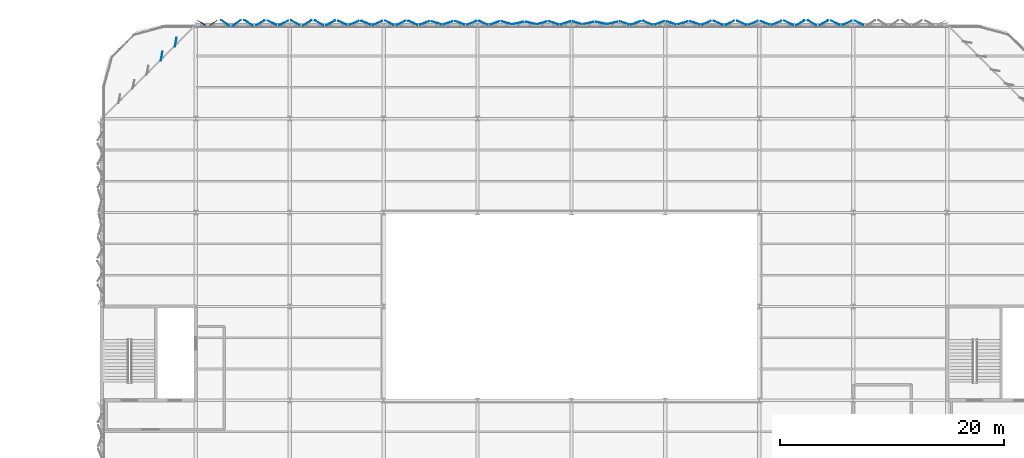
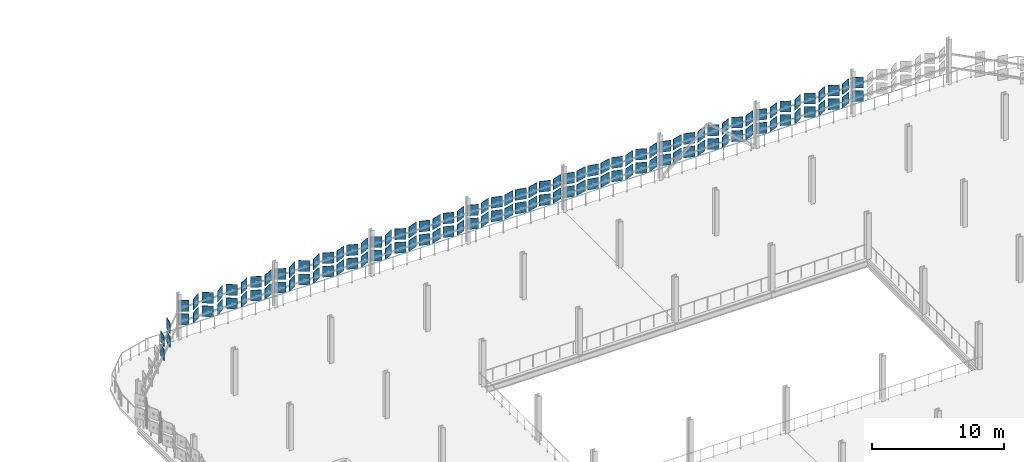
# One storey, part 146 of 184: 118 plates.
"""IFC4 building model written with IfcOpenShell, lengths in metres."""

from ifc_helpers import new_model, si_unit, direction, frame, origin, origin_2d, place, context, subcontext, project, spatial, rectangle, extrude, material, layer, layer_set, type_object, element, save


model = new_model("IFC4")

# Units and contexts
model_context = context("Model", 3, precision=1e-05, world=origin(), true_north=direction((0.0, 1.0)))
body_context = subcontext(model_context, "Body", "Model", "MODEL_VIEW")
ifc_project = project(units=[si_unit("LENGTHUNIT", "METRE"), si_unit("AREAUNIT", "SQUARE_METRE"), si_unit("VOLUMEUNIT", "CUBIC_METRE"), si_unit("PLANEANGLEUNIT", "RADIAN"), si_unit("MASSUNIT", "GRAM", prefix="KILO")], contexts=[model_context])

# Site, building, storey
site_placement = place(None, origin())
site = spatial("IfcSite", under=ifc_project, at=site_placement, CompositionType="ELEMENT")
building_placement = place(site_placement, origin())
building = spatial("IfcBuilding", under=site, at=building_placement, Name="Qalvenar Corner Mobility Hub", CompositionType="ELEMENT")
storey_placement = place(building_placement, frame((0.0, 0.0, 9.0)))
storey = spatial("IfcBuildingStorey", under=building, at=storey_placement, Name="L02", CompositionType="ELEMENT", Elevation=9.0)

# Plates
ifc_material = material(Name="Amber-Bronze Anodised Aluminium", Category="aluminium")
ifc_layer_1 = layer(ifc_material, 0.0400390625)
ifc_layer_set_1 = layer_set([ifc_layer_1], Name="Amber-Bronze Anodised Aluminium")
plate_type_1 = type_object("IfcPlateType", Name="PLT-XC-L2-CRN", PredefinedType="SHEET", material=ifc_layer_set_1)
for number, where, z_axis, x_axis, name in (
    (1, (68.77490234375, 117.760009765625, 1.0), (0.0, 0.0, 1.0), (-0.835423867485, -0.549606187772, 0.0), "Hinged Facade Panel FP-L02-0613"),
    (2, (68.77490234375, 117.760009765625, 2.25), (0.0, 0.0, 1.0), (-0.835423867485, -0.549606187772, 0.0), "Hinged Facade Panel FP-L02-0614"),
    (3, (67.72509765625, 117.760009765625, 1.0), (0.0, 0.0, 1.0), (-0.85860221428, 0.512642407174, 0.0), "Hinged Facade Panel FP-L02-0615"),
    (4, (67.72509765625, 117.760009765625, 2.25), (0.0, 0.0, 1.0), (-0.85860221428, 0.512642407174, 0.0), "Hinged Facade Panel FP-L02-0616"),
    (5, (65.406982421875, 116.033203125, 1.0), (0.0, 0.0, 1.0), (-0.190808995377, -0.981627183448, 0.0), "Corner Hinged Panel FPC-L02-0711"),
    (6, (64.14697265625, 114.773193359375, 1.0), (0.0, 0.0, 1.0), (-0.190808995377, -0.981627183448, 0.0), "Corner Hinged Panel FPC-L02-0712"),
    (7, (65.406982421875, 116.033203125, 2.25), (0.0, 0.0, 1.0), (-0.190808995377, -0.981627183448, 0.0), "Corner Hinged Panel FPC-L02-0716"),
    (8, (64.14697265625, 114.773193359375, 2.25), (0.0, 0.0, 1.0), (-0.190808995377, -0.981627183448, 0.0), "Corner Hinged Panel FPC-L02-0717"),
):
    element("IfcPlate", number, at=place(storey_placement, frame(where, z_axis=z_axis, x_axis=x_axis)), inside=storey, type_object=plate_type_1, Name=name, PredefinedType="SHEET", context=body_context, shape_type="SweptSolid", body=[
        extrude(rectangle(XDim=0.800048828125, YDim=0.0400390625, at=origin_2d()), origin(), (0.0, 0.0, 1.0), 1.0),
    ])
ifc_layer_2 = layer(ifc_material, 0.0380859375)
ifc_layer_set_2 = layer_set([ifc_layer_2], Name="Amber-Bronze Anodised Aluminium")
plate_type_2 = type_object("IfcPlateType", Name="PLT-XC-L2-STD", PredefinedType="SHEET", material=ifc_layer_set_2)
for number, where, z_axis, x_axis, name in (
    (9, (126.52490234375, 117.760009765625, 1.0), (0.0, 0.0, 1.0), (-0.892349617181, 0.451344835704, 0.0), "Hinged Facade Panel FP-L02-0503"),
    (10, (126.52490234375, 117.760009765625, 2.25), (0.0, 0.0, 1.0), (-0.892349617181, 0.451344835704, 0.0), "Hinged Facade Panel FP-L02-0504"),
    (11, (125.47509765625, 117.760009765625, 1.0), (0.0, 0.0, 1.0), (-0.906160210221, -0.422934597085, 0.0), "Hinged Facade Panel FP-L02-0505"),
    (12, (125.47509765625, 117.760009765625, 2.25), (0.0, 0.0, 1.0), (-0.906160210221, -0.422934597085, 0.0), "Hinged Facade Panel FP-L02-0506"),
    (13, (124.425048828125, 117.760009765625, 1.0), (0.0, 0.0, 1.0), (-0.897027074767, 0.441975595633, 0.0), "Hinged Facade Panel FP-L02-0507"),
    (14, (124.425048828125, 117.760009765625, 2.25), (0.0, 0.0, 1.0), (-0.897027074767, 0.441975595633, 0.0), "Hinged Facade Panel FP-L02-0508"),
    (15, (123.375, 117.760009765625, 1.0), (0.0, 0.0, 1.0), (-0.874111536221, -0.485725253868, 0.0), "Hinged Facade Panel FP-L02-0509"),
    (16, (123.375, 117.760009765625, 2.25), (0.0, 0.0, 1.0), (-0.874111536221, -0.485725253868, 0.0), "Hinged Facade Panel FP-L02-0510"),
    (17, (122.324951171875, 117.760009765625, 1.0), (0.0, 0.0, 1.0), (-0.858064905724, 0.513541252058, 0.0), "Hinged Facade Panel FP-L02-0511"),
    (18, (122.324951171875, 117.760009765625, 2.25), (0.0, 0.0, 1.0), (-0.858064905724, 0.513541252058, 0.0), "Hinged Facade Panel FP-L02-0512"),
    (19, (121.27490234375, 117.760009765625, 1.0), (0.0, 0.0, 1.0), (-0.867070701164, -0.498185105339, 0.0), "Hinged Facade Panel FP-L02-0513"),
    (20, (121.27490234375, 117.760009765625, 2.25), (0.0, 0.0, 1.0), (-0.867070701164, -0.498185105339, 0.0), "Hinged Facade Panel FP-L02-0514"),
    (21, (120.22509765625, 117.760009765625, 1.0), (0.0, 0.0, 1.0), (-0.896409086219, 0.443227650474, 0.0), "Hinged Facade Panel FP-L02-0515"),
    (22, (120.22509765625, 117.760009765625, 2.25), (0.0, 0.0, 1.0), (-0.896409086219, 0.443227650474, 0.0), "Hinged Facade Panel FP-L02-0516"),
    (23, (119.175048828125, 117.760009765625, 1.0), (0.0, 0.0, 1.0), (-0.924546033612, -0.38107037635, 0.0), "Hinged Facade Panel FP-L02-0517"),
    (24, (119.175048828125, 117.760009765625, 2.25), (0.0, 0.0, 1.0), (-0.924546033612, -0.38107037635, 0.0), "Hinged Facade Panel FP-L02-0518"),
    (25, (118.125, 117.760009765625, 1.0), (0.0, 0.0, 1.0), (-0.935752139592, 0.352658380374, 0.0), "Hinged Facade Panel FP-L02-0519"),
    (26, (118.125, 117.760009765625, 2.25), (0.0, 0.0, 1.0), (-0.935752139592, 0.352658380374, 0.0), "Hinged Facade Panel FP-L02-0520"),
    (27, (117.074951171875, 117.760009765625, 1.0), (0.0, 0.0, 1.0), (-0.927771141119, -0.37314971487, 0.0), "Hinged Facade Panel FP-L02-0521"),
    (28, (117.074951171875, 117.760009765625, 2.25), (0.0, 0.0, 1.0), (-0.927771141119, -0.37314971487, 0.0), "Hinged Facade Panel FP-L02-0522"),
    (29, (116.02490234375, 117.760009765625, 1.0), (0.0, 0.0, 1.0), (-0.908143173825, 0.418659737537, 0.0), "Hinged Facade Panel FP-L02-0523"),
    (30, (116.02490234375, 117.760009765625, 2.25), (0.0, 0.0, 1.0), (-0.908143173825, 0.418659737537, 0.0), "Hinged Facade Panel FP-L02-0524"),
    (31, (114.97509765625, 117.760009765625, 1.0), (0.0, 0.0, 1.0), (-0.894544639838, -0.446978620671, 0.0), "Hinged Facade Panel FP-L02-0525"),
    (32, (114.97509765625, 117.760009765625, 2.25), (0.0, 0.0, 1.0), (-0.894544639838, -0.446978620671, 0.0), "Hinged Facade Panel FP-L02-0526"),
    (33, (113.925048828125, 117.760009765625, 1.0), (0.0, 0.0, 1.0), (-0.902810575698, 0.430038445267, 0.0), "Hinged Facade Panel FP-L02-0527"),
    (34, (113.925048828125, 117.760009765625, 2.25), (0.0, 0.0, 1.0), (-0.902810575698, 0.430038445267, 0.0), "Hinged Facade Panel FP-L02-0528"),
    (35, (112.875, 117.760009765625, 1.0), (0.0, 0.0, 1.0), (-0.928096422365, -0.372339939832, 0.0), "Hinged Facade Panel FP-L02-0529"),
    (36, (112.875, 117.760009765625, 2.25), (0.0, 0.0, 1.0), (-0.928096422365, -0.372339939832, 0.0), "Hinged Facade Panel FP-L02-0530"),
    (37, (111.824951171875, 117.760009765625, 1.0), (0.0, 0.0, 1.0), (-0.951164325631, 0.308684994204, 0.0), "Hinged Facade Panel FP-L02-0531"),
    (38, (111.824951171875, 117.760009765625, 2.25), (0.0, 0.0, 1.0), (-0.951164325631, 0.308684994204, 0.0), "Hinged Facade Panel FP-L02-0532"),
    (39, (110.77490234375, 117.760009765625, 1.0), (0.0, 0.0, 1.0), (-0.959854262938, -0.280499187022, 0.0), "Hinged Facade Panel FP-L02-0533"),
    (40, (110.77490234375, 117.760009765625, 2.25), (0.0, 0.0, 1.0), (-0.959854262938, -0.280499187022, 0.0), "Hinged Facade Panel FP-L02-0534"),
    (41, (109.72509765625, 117.760009765625, 1.0), (0.0, 0.0, 1.0), (-0.953243426776, 0.30220352299, 0.0), "Hinged Facade Panel FP-L02-0535"),
    (42, (109.72509765625, 117.760009765625, 2.25), (0.0, 0.0, 1.0), (-0.953243426776, 0.30220352299, 0.0), "Hinged Facade Panel FP-L02-0536"),
    (43, (108.675048828125, 117.760009765625, 1.0), (0.0, 0.0, 1.0), (-0.937038411905, -0.349226308593, 0.0), "Hinged Facade Panel FP-L02-0537"),
    (44, (108.675048828125, 117.760009765625, 2.25), (0.0, 0.0, 1.0), (-0.937038411905, -0.349226308593, 0.0), "Hinged Facade Panel FP-L02-0538"),
    (45, (107.625, 117.760009765625, 1.0), (0.0, 0.0, 1.0), (-0.925936516366, 0.377679186163, 0.0), "Hinged Facade Panel FP-L02-0539"),
    (46, (107.625, 117.760009765625, 2.25), (0.0, 0.0, 1.0), (-0.925936516366, 0.377679186163, 0.0), "Hinged Facade Panel FP-L02-0540"),
    (47, (106.574951171875, 117.760009765625, 1.0), (0.0, 0.0, 1.0), (-0.933204632634, -0.359345396006, 0.0), "Hinged Facade Panel FP-L02-0541"),
    (48, (106.574951171875, 117.760009765625, 2.25), (0.0, 0.0, 1.0), (-0.933204632634, -0.359345396006, 0.0), "Hinged Facade Panel FP-L02-0542"),
    (49, (105.52490234375, 117.760009765625, 1.0), (0.0, 0.0, 1.0), (-0.954135885454, 0.299373866742, 0.0), "Hinged Facade Panel FP-L02-0543"),
    (50, (105.52490234375, 117.760009765625, 2.25), (0.0, 0.0, 1.0), (-0.954135885454, 0.299373866742, 0.0), "Hinged Facade Panel FP-L02-0544"),
    (51, (104.47509765625, 117.760009765625, 1.0), (0.0, 0.0, 1.0), (-0.972124923868, -0.234463499069, 0.0), "Hinged Facade Panel FP-L02-0545"),
    (52, (104.47509765625, 117.760009765625, 2.25), (0.0, 0.0, 1.0), (-0.972124923868, -0.234463499069, 0.0), "Hinged Facade Panel FP-L02-0546"),
    (53, (103.425048828125, 117.760009765625, 1.0), (0.0, 0.0, 1.0), (-0.97843694665, 0.206545736898, 0.0), "Hinged Facade Panel FP-L02-0547"),
    (54, (103.425048828125, 117.760009765625, 2.25), (0.0, 0.0, 1.0), (-0.97843694665, 0.206545736898, 0.0), "Hinged Facade Panel FP-L02-0548"),
    (55, (102.375, 117.760009765625, 1.0), (0.0, 0.0, 1.0), (-0.973259115993, -0.229710019669, 0.0), "Hinged Facade Panel FP-L02-0549"),
    (56, (102.375, 117.760009765625, 2.25), (0.0, 0.0, 1.0), (-0.973259115993, -0.229710019669, 0.0), "Hinged Facade Panel FP-L02-0550"),
    (57, (101.324951171875, 117.760009765625, 1.0), (0.0, 0.0, 1.0), (-0.96068229455, 0.277650011593, 0.0), "Hinged Facade Panel FP-L02-0551"),
    (58, (101.324951171875, 117.760009765625, 2.25), (0.0, 0.0, 1.0), (-0.96068229455, 0.277650011593, 0.0), "Hinged Facade Panel FP-L02-0552"),
    (59, (100.27490234375, 117.760009765625, 1.0), (0.0, 0.0, 1.0), (-0.948544944527, -0.316642524327, 0.0), "Hinged Facade Panel FP-L02-0553"),
    (60, (100.27490234375, 117.760009765625, 2.25), (0.0, 0.0, 1.0), (-0.948544944527, -0.316642524327, 0.0), "Hinged Facade Panel FP-L02-0554"),
    (61, (99.22509765625, 117.760009765625, 1.0), (0.0, 0.0, 1.0), (-0.948212837214, 0.31763566447, 0.0), "Hinged Facade Panel FP-L02-0555"),
    (62, (99.22509765625, 117.760009765625, 2.25), (0.0, 0.0, 1.0), (-0.948212837214, 0.31763566447, 0.0), "Hinged Facade Panel FP-L02-0556"),
    (63, (98.175048828125, 117.760009765625, 1.0), (0.0, 0.0, 1.0), (-0.960779154158, -0.277314653302, 0.0), "Hinged Facade Panel FP-L02-0557"),
    (64, (98.175048828125, 117.760009765625, 2.25), (0.0, 0.0, 1.0), (-0.960779154158, -0.277314653302, 0.0), "Hinged Facade Panel FP-L02-0558"),
    (65, (97.125, 117.760009765625, 1.0), (0.0, 0.0, 1.0), (-0.972329161686, 0.233615070866, 0.0), "Hinged Facade Panel FP-L02-0559"),
    (66, (97.125, 117.760009765625, 2.25), (0.0, 0.0, 1.0), (-0.972329161686, 0.233615070866, 0.0), "Hinged Facade Panel FP-L02-0560"),
    (67, (96.074951171875, 117.760009765625, 1.0), (0.0, 0.0, 1.0), (-0.973658553048, -0.228011013058, 0.0), "Hinged Facade Panel FP-L02-0561"),
    (68, (96.074951171875, 117.760009765625, 2.25), (0.0, 0.0, 1.0), (-0.973658553048, -0.228011013058, 0.0), "Hinged Facade Panel FP-L02-0562"),
    (69, (95.02490234375, 117.760009765625, 1.0), (0.0, 0.0, 1.0), (-0.962027671586, 0.272951935517, 0.0), "Hinged Facade Panel FP-L02-0563"),
    (70, (95.02490234375, 117.760009765625, 2.25), (0.0, 0.0, 1.0), (-0.962027671586, 0.272951935517, 0.0), "Hinged Facade Panel FP-L02-0564"),
    (71, (93.97509765625, 117.760009765625, 1.0), (0.0, 0.0, 1.0), (-0.940050268133, -0.341035912161, 0.0), "Hinged Facade Panel FP-L02-0565"),
    (72, (93.97509765625, 117.760009765625, 2.25), (0.0, 0.0, 1.0), (-0.940050268133, -0.341035912161, 0.0), "Hinged Facade Panel FP-L02-0566"),
    (73, (92.925048828125, 117.760009765625, 1.0), (0.0, 0.0, 1.0), (-0.921456840821, 0.388480746631, 0.0), "Hinged Facade Panel FP-L02-0567"),
    (74, (92.925048828125, 117.760009765625, 2.25), (0.0, 0.0, 1.0), (-0.921456840821, 0.388480746631, 0.0), "Hinged Facade Panel FP-L02-0568"),
    (75, (91.875, 117.760009765625, 1.0), (0.0, 0.0, 1.0), (-0.921456840821, -0.388480746631, 0.0), "Hinged Facade Panel FP-L02-0569"),
    (76, (91.875, 117.760009765625, 2.25), (0.0, 0.0, 1.0), (-0.921456840821, -0.388480746631, 0.0), "Hinged Facade Panel FP-L02-0570"),
    (77, (90.824951171875, 117.760009765625, 1.0), (0.0, 0.0, 1.0), (-0.937221137918, 0.348735628579, 0.0), "Hinged Facade Panel FP-L02-0571"),
    (78, (90.824951171875, 117.760009765625, 2.25), (0.0, 0.0, 1.0), (-0.937221137918, 0.348735628579, 0.0), "Hinged Facade Panel FP-L02-0572"),
    (79, (89.77490234375, 117.760009765625, 1.0), (0.0, 0.0, 1.0), (-0.951862260753, -0.306526078098, 0.0), "Hinged Facade Panel FP-L02-0573"),
    (80, (89.77490234375, 117.760009765625, 2.25), (0.0, 0.0, 1.0), (-0.951862260753, -0.306526078098, 0.0), "Hinged Facade Panel FP-L02-0574"),
    (81, (88.72509765625, 117.760009765625, 1.0), (0.0, 0.0, 1.0), (-0.953348857629, 0.301870759858, 0.0), "Hinged Facade Panel FP-L02-0575"),
    (82, (88.72509765625, 117.760009765625, 2.25), (0.0, 0.0, 1.0), (-0.953348857629, 0.301870759858, 0.0), "Hinged Facade Panel FP-L02-0576"),
    (83, (87.675048828125, 117.760009765625, 1.0), (0.0, 0.0, 1.0), (-0.938070461122, -0.346444526541, 0.0), "Hinged Facade Panel FP-L02-0577"),
    (84, (87.675048828125, 117.760009765625, 2.25), (0.0, 0.0, 1.0), (-0.938070461122, -0.346444526541, 0.0), "Hinged Facade Panel FP-L02-0578"),
    (85, (86.625, 117.760009765625, 1.0), (0.0, 0.0, 1.0), (-0.910899836935, 0.412627540369, 0.0), "Hinged Facade Panel FP-L02-0579"),
    (86, (86.625, 117.760009765625, 2.25), (0.0, 0.0, 1.0), (-0.910899836935, 0.412627540369, 0.0), "Hinged Facade Panel FP-L02-0580"),
    (87, (85.574951171875, 117.760009765625, 1.0), (0.0, 0.0, 1.0), (-0.889017141486, -0.457873915117, 0.0), "Hinged Facade Panel FP-L02-0581"),
    (88, (85.574951171875, 117.760009765625, 2.25), (0.0, 0.0, 1.0), (-0.889017141486, -0.457873915117, 0.0), "Hinged Facade Panel FP-L02-0582"),
    (89, (84.52490234375, 117.760009765625, 1.0), (0.0, 0.0, 1.0), (-0.889496138383, 0.456942687656, 0.0), "Hinged Facade Panel FP-L02-0583"),
    (90, (84.52490234375, 117.760009765625, 2.25), (0.0, 0.0, 1.0), (-0.889496138383, 0.456942687656, 0.0), "Hinged Facade Panel FP-L02-0584"),
    (91, (83.47509765625, 117.760009765625, 1.0), (0.0, 0.0, 1.0), (-0.908362259055, -0.418184177516, 0.0), "Hinged Facade Panel FP-L02-0585"),
    (92, (83.47509765625, 117.760009765625, 2.25), (0.0, 0.0, 1.0), (-0.908362259055, -0.418184177516, 0.0), "Hinged Facade Panel FP-L02-0586"),
    (93, (82.425048828125, 117.760009765625, 1.0), (0.0, 0.0, 1.0), (-0.926002419716, 0.377517574003, 0.0), "Hinged Facade Panel FP-L02-0587"),
    (94, (82.425048828125, 117.760009765625, 2.25), (0.0, 0.0, 1.0), (-0.926002419716, 0.377517574003, 0.0), "Hinged Facade Panel FP-L02-0588"),
    (95, (81.375, 117.760009765625, 1.0), (0.0, 0.0, 1.0), (-0.927445153335, -0.373959205738, 0.0), "Hinged Facade Panel FP-L02-0589"),
    (96, (81.375, 117.760009765625, 2.25), (0.0, 0.0, 1.0), (-0.927445153335, -0.373959205738, 0.0), "Hinged Facade Panel FP-L02-0590"),
    (97, (80.324951171875, 117.760009765625, 1.0), (0.0, 0.0, 1.0), (-0.908508177527, 0.417867073801, 0.0), "Hinged Facade Panel FP-L02-0591"),
    (98, (80.324951171875, 117.760009765625, 2.25), (0.0, 0.0, 1.0), (-0.908508177527, 0.417867073801, 0.0), "Hinged Facade Panel FP-L02-0592"),
    (99, (79.27490234375, 117.760009765625, 1.0), (0.0, 0.0, 1.0), (-0.876222584819, -0.481906611132, 0.0), "Hinged Facade Panel FP-L02-0593"),
    (100, (79.27490234375, 117.760009765625, 2.25), (0.0, 0.0, 1.0), (-0.876222584819, -0.481906611132, 0.0), "Hinged Facade Panel FP-L02-0594"),
    (101, (78.22509765625, 117.760009765625, 1.0), (0.0, 0.0, 1.0), (-0.85136091544, 0.524580395803, 0.0), "Hinged Facade Panel FP-L02-0595"),
    (102, (78.22509765625, 117.760009765625, 2.25), (0.0, 0.0, 1.0), (-0.85136091544, 0.524580395803, 0.0), "Hinged Facade Panel FP-L02-0596"),
    (103, (77.175048828125, 117.760009765625, 1.0), (0.0, 0.0, 1.0), (-0.85236646788, -0.522944934419, 0.0), "Hinged Facade Panel FP-L02-0597"),
    (104, (77.175048828125, 117.760009765625, 2.25), (0.0, 0.0, 1.0), (-0.85236646788, -0.522944934419, 0.0), "Hinged Facade Panel FP-L02-0598"),
    (105, (76.125, 117.760009765625, 1.0), (0.0, 0.0, 1.0), (-0.874365741536, 0.485267503577, 0.0), "Hinged Facade Panel FP-L02-0599"),
    (106, (76.125, 117.760009765625, 2.25), (0.0, 0.0, 1.0), (-0.874365741536, 0.485267503577, 0.0), "Hinged Facade Panel FP-L02-0600"),
    (107, (75.074951171875, 117.760009765625, 1.0), (0.0, 0.0, 1.0), (-0.894856471762, -0.446354001825, 0.0), "Hinged Facade Panel FP-L02-0601"),
    (108, (75.074951171875, 117.760009765625, 2.25), (0.0, 0.0, 1.0), (-0.894856471762, -0.446354001825, 0.0), "Hinged Facade Panel FP-L02-0602"),
    (109, (74.02490234375, 117.760009765625, 1.0), (0.0, 0.0, 1.0), (-0.896099436521, 0.443853354011, 0.0), "Hinged Facade Panel FP-L02-0603"),
    (110, (74.02490234375, 117.760009765625, 2.25), (0.0, 0.0, 1.0), (-0.896099436521, 0.443853354011, 0.0), "Hinged Facade Panel FP-L02-0604"),
    (111, (72.97509765625, 117.760009765625, 1.0), (0.0, 0.0, 1.0), (-0.873432483984, -0.486945269945, 0.0), "Hinged Facade Panel FP-L02-0605"),
    (112, (72.97509765625, 117.760009765625, 2.25), (0.0, 0.0, 1.0), (-0.873432483984, -0.486945269945, 0.0), "Hinged Facade Panel FP-L02-0606"),
    (113, (71.925048828125, 117.760009765625, 1.0), (0.0, 0.0, 1.0), (-0.836381838331, 0.548147261701, 0.0), "Hinged Facade Panel FP-L02-0607"),
    (114, (71.925048828125, 117.760009765625, 2.25), (0.0, 0.0, 1.0), (-0.836381838331, 0.548147261701, 0.0), "Hinged Facade Panel FP-L02-0608"),
    (115, (70.875, 117.760009765625, 1.0), (0.0, 0.0, 1.0), (-0.819152044289, -0.573576436351, 0.0), "Hinged Facade Panel FP-L02-0609"),
    (116, (70.875, 117.760009765625, 2.25), (0.0, 0.0, 1.0), (-0.819152044289, -0.573576436351, 0.0), "Hinged Facade Panel FP-L02-0610"),
    (117, (69.824951171875, 117.760009765625, 1.0), (0.0, 0.0, 1.0), (-0.819152044289, 0.573576436351, 0.0), "Hinged Facade Panel FP-L02-0611"),
    (118, (69.824951171875, 117.760009765625, 2.25), (0.0, 0.0, 1.0), (-0.819152044289, 0.573576436351, 0.0), "Hinged Facade Panel FP-L02-0612"),
):
    element("IfcPlate", number, at=place(storey_placement, frame(where, z_axis=z_axis, x_axis=x_axis)), inside=storey, type_object=plate_type_2, Name=name, PredefinedType="SHEET", context=body_context, shape_type="SweptSolid", body=[
        extrude(rectangle(XDim=0.860107421875, YDim=0.0380859375, at=origin_2d()), origin(), (0.0, 0.0, 1.0), 1.0),
    ])

save(model, "model.ifc")
